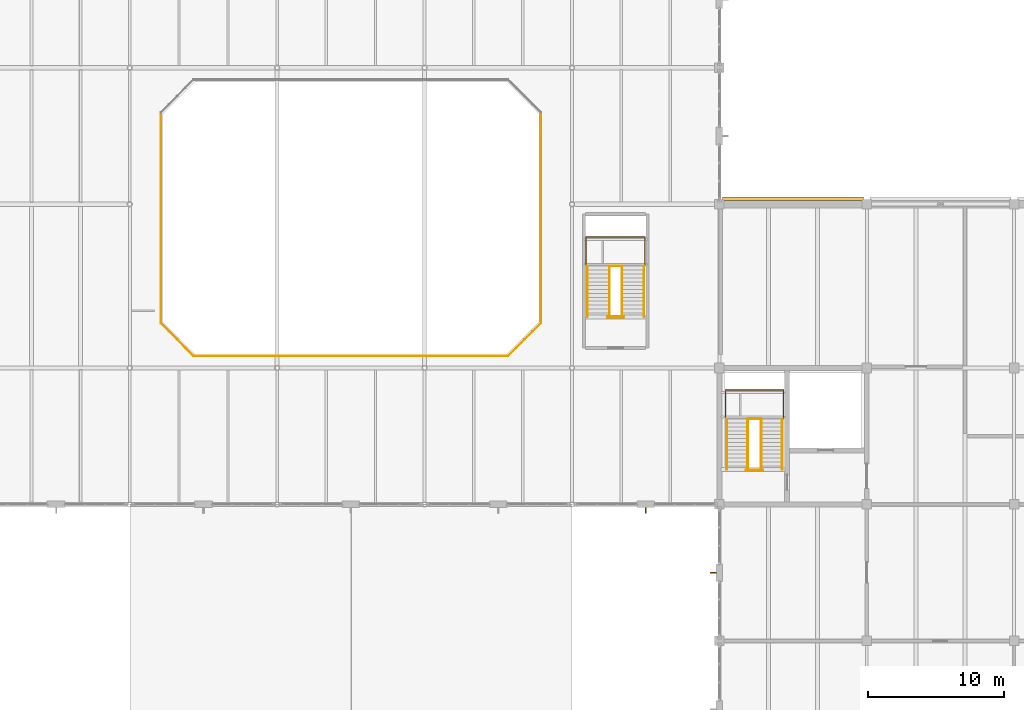
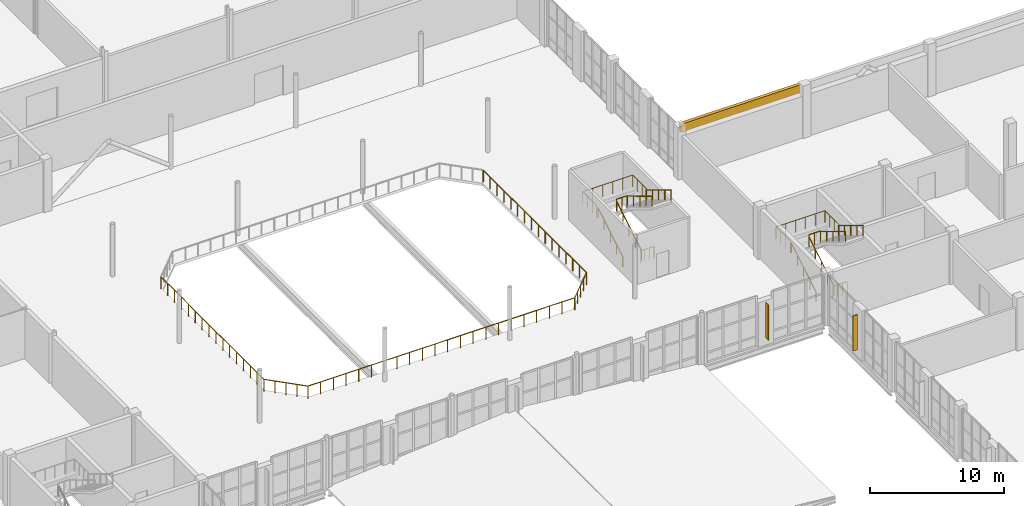
# One storey, part 86 of 92: 19 railings, 2 shading devices, 1 covering.
"""IFC4 building model written with IfcOpenShell, lengths in metres."""

from ifc_helpers import new_model, si_unit, direction, frame, origin, origin_2d, place, context, subcontext, project, spatial, rectangle, circle, extrude, material, layer, layer_set, type_object, element, save


model = new_model("IFC4")

# Units and contexts
model_context = context("Model", 3, precision=1e-05, world=origin(), true_north=direction((0.0, 1.0)))
body_context = subcontext(model_context, "Body", "Model", "MODEL_VIEW")
ifc_project = project(units=[si_unit("LENGTHUNIT", "METRE"), si_unit("AREAUNIT", "SQUARE_METRE"), si_unit("VOLUMEUNIT", "CUBIC_METRE"), si_unit("PLANEANGLEUNIT", "RADIAN"), si_unit("MASSUNIT", "GRAM", prefix="KILO")], contexts=[model_context])

# Site, building, storey
site_placement = place(None, origin())
site = spatial("IfcSite", under=ifc_project, at=site_placement, CompositionType="ELEMENT")
building_placement = place(site_placement, origin())
building = spatial("IfcBuilding", under=site, at=building_placement, Name="Tasgan Crest Museum", CompositionType="ELEMENT")
storey_placement = place(building_placement, frame((0.0, 0.0, 4.800048828125)))
storey = spatial("IfcBuildingStorey", under=building, at=storey_placement, Name="L01", CompositionType="ELEMENT", Elevation=4.800048828125)

# Covering
ifc_material_1 = material(Name="Honed Buff Limestone", Category="masonry")
ifc_layer = layer(ifc_material_1, 0.044921875, Name="COV-LIMESTONE-BUFF")
ifc_layer_set = layer_set([ifc_layer], Name="Honed Buff Limestone")
covering_type = type_object("IfcCoveringType", Name="COV-LIMESTONE-BUFF", PredefinedType="CLADDING", material=ifc_layer_set)
covering_placement = place(storey_placement, frame((113.39990234375, 62.39990234375, 3.780029296875), z_axis=(0.0, 0.0, 1.0), x_axis=(-1.0, 0.0, 0.0)))
element("IfcCovering", 1, at=covering_placement, inside=storey, type_object=covering_type, Name="Stone frieze cladding L01", PredefinedType="CLADDING", context=body_context, shape_type="SweptSolid", body=[
    extrude(rectangle(XDim=10.31005859375, YDim=0.280029296875, at=origin_2d()), origin(), (0.0, 0.0, 1.0), 0.72998046875),
])

# Railings
ifc_material_2 = material(Name="Brushed Bronze and Toughened Glass", Category="glass")
railing_type_1 = type_object("IfcRailingType", Name="RL-INT-GUARD-1120", PredefinedType="GUARDRAIL", material=ifc_material_2)
railing_1_placement = place(storey_placement, frame((109.93994140625, 42.52001953125, 0.0)))
element("IfcRailing", 2, at=railing_1_placement, inside=storey, type_object=railing_type_1, Name="East Conservation Core floor slot guard L01", PredefinedType="GUARDRAIL", context=body_context, shape_type="SweptSolid", body=[
    extrude(circle(Radius=0.02392578125, at=origin_2d()), frame((0.0, 0.0, 1.09619140625), z_axis=(1.0, 0.0, 0.0), x_axis=(0.0, 1.0, 0.0)), (0.0, 0.0, 1.0), 1.27001953125),
    extrude(circle(Radius=0.02099609375, at=origin_2d()), origin(), (0.0, 0.0, 1.0), 1.072021484375),
    extrude(circle(Radius=0.02099609375, at=origin_2d()), frame((0.42333984375, 0.0, 0.0)), (0.0, 0.0, 1.0), 1.072021484375),
    extrude(circle(Radius=0.02099609375, at=origin_2d()), frame((0.8466796875, 0.0, 0.0)), (0.0, 0.0, 1.0), 1.072021484375),
    extrude(circle(Radius=0.02099609375, at=origin_2d()), frame((1.27001953125, 0.0, 0.0)), (0.0, 0.0, 1.0), 1.072021484375),
])
railing_2_placement = place(storey_placement, frame((110.080078125, 46.27490234375, 2.39990234375)))
element("IfcRailing", 3, at=railing_2_placement, inside=storey, type_object=railing_type_1, Name="Stair half-landing well guard ST-SE-L01 T1", PredefinedType="GUARDRAIL", context=body_context, shape_type="SweptSolid", body=[
    extrude(circle(Radius=0.02392578125, at=origin_2d()), frame((0.0, 0.0, 1.09619140625), z_axis=(1.0, 0.0, 0.0), x_axis=(0.0, 1.0, 0.0)), (0.0, 0.0, 1.0), 0.989990234375),
    extrude(circle(Radius=0.02099609375, at=origin_2d()), origin(), (0.0, 0.0, 1.0), 1.072021484375),
    extrude(circle(Radius=0.02099609375, at=origin_2d()), frame((0.4951171875, 0.0, 0.0)), (0.0, 0.0, 1.0), 1.072021484375),
    extrude(circle(Radius=0.02099609375, at=origin_2d()), frame((0.989990234375, 0.0, 0.0)), (0.0, 0.0, 1.0), 1.072021484375),
])
railing_3_placement = place(storey_placement, frame((108.4599609375, 46.294921875, 2.39990234375)))
element("IfcRailing", 4, at=railing_3_placement, inside=storey, type_object=railing_type_1, Name="Stair half-landing perimeter guard ST-SE-L01 T1", PredefinedType="GUARDRAIL", context=body_context, shape_type="SweptSolid", body=[
    extrude(circle(Radius=0.02392578125, at=origin_2d()), frame((0.0, 0.0, 1.09619140625), z_axis=(0.0, 1.0, 0.0), x_axis=(-1.0, 0.0, 0.0)), (0.0, 0.0, 1.0), 2.10009765625),
    extrude(circle(Radius=0.02392578125, at=origin_2d()), frame((0.0, 2.10009765625, 1.09619140625), z_axis=(1.0, 0.0, 0.0), x_axis=(0.0, 1.0, 0.0)), (0.0, 0.0, 1.0), 4.22998046875),
    extrude(circle(Radius=0.02392578125, at=origin_2d()), frame((4.22998046875, 2.10009765625, 1.09619140625), z_axis=(0.0, -1.0, 0.0), x_axis=(1.0, 0.0, 0.0)), (0.0, 0.0, 1.0), 2.10009765625),
    extrude(circle(Radius=0.02099609375, at=origin_2d()), origin(), (0.0, 0.0, 1.0), 1.072021484375),
    extrude(circle(Radius=0.02099609375, at=origin_2d()), frame((0.0, 0.699951171875, 0.0)), (0.0, 0.0, 1.0), 1.072021484375),
    extrude(circle(Radius=0.02099609375, at=origin_2d()), frame((0.0, 1.400146484375, 0.0)), (0.0, 0.0, 1.0), 1.072021484375),
    extrude(circle(Radius=0.02099609375, at=origin_2d()), frame((0.0, 2.10009765625, 0.0)), (0.0, 0.0, 1.0), 1.072021484375),
    extrude(circle(Radius=0.02099609375, at=origin_2d()), frame((0.845947265625, 2.10009765625, 0.0)), (0.0, 0.0, 1.0), 1.072021484375),
    extrude(circle(Radius=0.02099609375, at=origin_2d()), frame((1.69189453125, 2.10009765625, 0.0)), (0.0, 0.0, 1.0), 1.072021484375),
    extrude(circle(Radius=0.02099609375, at=origin_2d()), frame((2.5380859375, 2.10009765625, 0.0)), (0.0, 0.0, 1.0), 1.072021484375),
    extrude(circle(Radius=0.02099609375, at=origin_2d()), frame((3.384033203125, 2.10009765625, 0.0)), (0.0, 0.0, 1.0), 1.072021484375),
    extrude(circle(Radius=0.02099609375, at=origin_2d()), frame((4.22998046875, 2.10009765625, 0.0)), (0.0, 0.0, 1.0), 1.072021484375),
    extrude(circle(Radius=0.02099609375, at=origin_2d()), frame((4.22998046875, 1.400146484375, 0.0)), (0.0, 0.0, 1.0), 1.072021484375),
    extrude(circle(Radius=0.02099609375, at=origin_2d()), frame((4.22998046875, 0.699951171875, 0.0)), (0.0, 0.0, 1.0), 1.072021484375),
    extrude(circle(Radius=0.02099609375, at=origin_2d()), frame((4.22998046875, 0.0, 0.0)), (0.0, 0.0, 1.0), 1.072021484375),
])
railing_4_placement = place(storey_placement, frame((99.800048828125, 53.719970703125, 0.0)))
element("IfcRailing", 5, at=railing_4_placement, inside=storey, type_object=railing_type_1, Name="ATRIUM floor slot guard L01", PredefinedType="GUARDRAIL", context=body_context, shape_type="SweptSolid", body=[
    extrude(circle(Radius=0.02392578125, at=origin_2d()), frame((0.0, 0.0, 1.09619140625), z_axis=(1.0, 0.0, 0.0), x_axis=(0.0, 1.0, 0.0)), (0.0, 0.0, 1.0), 1.199951171875),
    extrude(circle(Radius=0.02099609375, at=origin_2d()), origin(), (0.0, 0.0, 1.0), 1.072021484375),
    extrude(circle(Radius=0.02099609375, at=origin_2d()), frame((0.39990234375, 0.0, 0.0)), (0.0, 0.0, 1.0), 1.072021484375),
    extrude(circle(Radius=0.02099609375, at=origin_2d()), frame((0.800048828125, 0.0, 0.0)), (0.0, 0.0, 1.0), 1.072021484375),
    extrude(circle(Radius=0.02099609375, at=origin_2d()), frame((1.199951171875, 0.0, 0.0)), (0.0, 0.0, 1.0), 1.072021484375),
])
railing_5_placement = place(storey_placement, frame((99.93994140625, 57.47509765625, 2.39990234375)))
element("IfcRailing", 6, at=railing_5_placement, inside=storey, type_object=railing_type_1, Name="Stair half-landing well guard ST-AT-L01 T1", PredefinedType="GUARDRAIL", context=body_context, shape_type="SweptSolid", body=[
    extrude(circle(Radius=0.02392578125, at=origin_2d()), frame((0.0, 0.0, 1.09619140625), z_axis=(1.0, 0.0, 0.0), x_axis=(0.0, 1.0, 0.0)), (0.0, 0.0, 1.0), 0.920166015625),
    extrude(circle(Radius=0.02099609375, at=origin_2d()), origin(), (0.0, 0.0, 1.0), 1.072021484375),
    extrude(circle(Radius=0.02099609375, at=origin_2d()), frame((0.4599609375, 0.0, 0.0)), (0.0, 0.0, 1.0), 1.072021484375),
    extrude(circle(Radius=0.02099609375, at=origin_2d()), frame((0.920166015625, 0.0, 0.0)), (0.0, 0.0, 1.0), 1.072021484375),
])
railing_6_placement = place(storey_placement, frame((98.239990234375, 57.4951171875, 2.39990234375)))
element("IfcRailing", 7, at=railing_6_placement, inside=storey, type_object=railing_type_1, Name="Stair half-landing perimeter guard ST-AT-L01 T1", PredefinedType="GUARDRAIL", context=body_context, shape_type="SweptSolid", body=[
    extrude(circle(Radius=0.02392578125, at=origin_2d()), frame((0.0, 0.0, 1.09619140625), z_axis=(0.0, 1.0, 0.0), x_axis=(-1.0, 0.0, 0.0)), (0.0, 0.0, 1.0), 2.099853515625),
    extrude(circle(Radius=0.02392578125, at=origin_2d()), frame((0.0, 2.099853515625, 1.09619140625), z_axis=(1.0, 0.0, 0.0), x_axis=(0.0, 1.0, 0.0)), (0.0, 0.0, 1.0), 4.320068359375),
    extrude(circle(Radius=0.02392578125, at=origin_2d()), frame((4.320068359375, 2.099853515625, 1.09619140625), z_axis=(0.0, -1.0, 0.0), x_axis=(1.0, 0.0, 0.0)), (0.0, 0.0, 1.0), 2.099853515625),
    extrude(circle(Radius=0.02099609375, at=origin_2d()), origin(), (0.0, 0.0, 1.0), 1.072021484375),
    extrude(circle(Radius=0.02099609375, at=origin_2d()), frame((0.0, 0.699951171875, 0.0)), (0.0, 0.0, 1.0), 1.072021484375),
    extrude(circle(Radius=0.02099609375, at=origin_2d()), frame((0.0, 1.39990234375, 0.0)), (0.0, 0.0, 1.0), 1.072021484375),
    extrude(circle(Radius=0.02099609375, at=origin_2d()), frame((0.0, 2.099853515625, 0.0)), (0.0, 0.0, 1.0), 1.072021484375),
    extrude(circle(Radius=0.02099609375, at=origin_2d()), frame((0.864013671875, 2.099853515625, 0.0)), (0.0, 0.0, 1.0), 1.072021484375),
    extrude(circle(Radius=0.02099609375, at=origin_2d()), frame((1.72802734375, 2.099853515625, 0.0)), (0.0, 0.0, 1.0), 1.072021484375),
    extrude(circle(Radius=0.02099609375, at=origin_2d()), frame((2.592041015625, 2.099853515625, 0.0)), (0.0, 0.0, 1.0), 1.072021484375),
    extrude(circle(Radius=0.02099609375, at=origin_2d()), frame((3.4560546875, 2.099853515625, 0.0)), (0.0, 0.0, 1.0), 1.072021484375),
    extrude(circle(Radius=0.02099609375, at=origin_2d()), frame((4.320068359375, 2.099853515625, 0.0)), (0.0, 0.0, 1.0), 1.072021484375),
    extrude(circle(Radius=0.02099609375, at=origin_2d()), frame((4.320068359375, 1.39990234375, 0.0)), (0.0, 0.0, 1.0), 1.072021484375),
    extrude(circle(Radius=0.02099609375, at=origin_2d()), frame((4.320068359375, 0.699951171875, 0.0)), (0.0, 0.0, 1.0), 1.072021484375),
    extrude(circle(Radius=0.02099609375, at=origin_2d()), frame((4.320068359375, 0.0, 0.0)), (0.0, 0.0, 1.0), 1.072021484375),
])
railing_7_placement = place(storey_placement, frame((69.47998046875, 50.8798828125, 0.0)))
element("IfcRailing", 8, at=railing_7_placement, inside=storey, type_object=railing_type_1, Name="Atrium void guard L01 0", PredefinedType="GUARDRAIL", context=body_context, shape_type="SweptSolid", body=[
    extrude(circle(Radius=0.02392578125, at=origin_2d()), frame((0.0, 0.0, 1.09619140625), z_axis=(1.0, 0.0, 0.0), x_axis=(0.0, 1.0, 0.0)), (0.0, 0.0, 1.0), 23.0400390625),
    extrude(circle(Radius=0.02099609375, at=origin_2d()), origin(), (0.0, 0.0, 1.0), 1.072021484375),
    extrude(circle(Radius=0.02099609375, at=origin_2d()), frame((1.09716796875, 0.0, 0.0)), (0.0, 0.0, 1.0), 1.072021484375),
    extrude(circle(Radius=0.02099609375, at=origin_2d()), frame((2.1943359375, 0.0, 0.0)), (0.0, 0.0, 1.0), 1.072021484375),
    extrude(circle(Radius=0.02099609375, at=origin_2d()), frame((3.29150390625, 0.0, 0.0)), (0.0, 0.0, 1.0), 1.072021484375),
    extrude(circle(Radius=0.02099609375, at=origin_2d()), frame((4.388671875, 0.0, 0.0)), (0.0, 0.0, 1.0), 1.072021484375),
    extrude(circle(Radius=0.02099609375, at=origin_2d()), frame((5.48583984375, 0.0, 0.0)), (0.0, 0.0, 1.0), 1.072021484375),
    extrude(circle(Radius=0.02099609375, at=origin_2d()), frame((6.582763671875, 0.0, 0.0)), (0.0, 0.0, 1.0), 1.072021484375),
    extrude(circle(Radius=0.02099609375, at=origin_2d()), frame((7.679931640625, 0.0, 0.0)), (0.0, 0.0, 1.0), 1.072021484375),
    extrude(circle(Radius=0.02099609375, at=origin_2d()), frame((8.777099609375, 0.0, 0.0)), (0.0, 0.0, 1.0), 1.072021484375),
    extrude(circle(Radius=0.02099609375, at=origin_2d()), frame((9.874267578125, 0.0, 0.0)), (0.0, 0.0, 1.0), 1.072021484375),
    extrude(circle(Radius=0.02099609375, at=origin_2d()), frame((10.971435546875, 0.0, 0.0)), (0.0, 0.0, 1.0), 1.072021484375),
    extrude(circle(Radius=0.02099609375, at=origin_2d()), frame((12.068603515625, 0.0, 0.0)), (0.0, 0.0, 1.0), 1.072021484375),
    extrude(circle(Radius=0.02099609375, at=origin_2d()), frame((13.165771484375, 0.0, 0.0)), (0.0, 0.0, 1.0), 1.072021484375),
    extrude(circle(Radius=0.02099609375, at=origin_2d()), frame((14.262939453125, 0.0, 0.0)), (0.0, 0.0, 1.0), 1.072021484375),
    extrude(circle(Radius=0.02099609375, at=origin_2d()), frame((15.360107421875, 0.0, 0.0)), (0.0, 0.0, 1.0), 1.072021484375),
    extrude(circle(Radius=0.02099609375, at=origin_2d()), frame((16.457275390625, 0.0, 0.0)), (0.0, 0.0, 1.0), 1.072021484375),
    extrude(circle(Radius=0.02099609375, at=origin_2d()), frame((17.55419921875, 0.0, 0.0)), (0.0, 0.0, 1.0), 1.072021484375),
    extrude(circle(Radius=0.02099609375, at=origin_2d()), frame((18.6513671875, 0.0, 0.0)), (0.0, 0.0, 1.0), 1.072021484375),
    extrude(circle(Radius=0.02099609375, at=origin_2d()), frame((19.74853515625, 0.0, 0.0)), (0.0, 0.0, 1.0), 1.072021484375),
    extrude(circle(Radius=0.02099609375, at=origin_2d()), frame((20.845703125, 0.0, 0.0)), (0.0, 0.0, 1.0), 1.072021484375),
    extrude(circle(Radius=0.02099609375, at=origin_2d()), frame((21.94287109375, 0.0, 0.0)), (0.0, 0.0, 1.0), 1.072021484375),
    extrude(circle(Radius=0.02099609375, at=origin_2d()), frame((23.0400390625, 0.0, 0.0)), (0.0, 0.0, 1.0), 1.072021484375),
])
railing_8_placement = place(storey_placement, frame((92.52001953125, 50.8798828125, 0.0)))
element("IfcRailing", 9, at=railing_8_placement, inside=storey, type_object=railing_type_1, Name="Atrium void guard L01 1", PredefinedType="GUARDRAIL", context=body_context, shape_type="SweptSolid", body=[
    extrude(circle(Radius=0.02392578125, at=origin_2d()), frame((0.0, 0.0, 1.09619140625), z_axis=(0.707070815327, 0.707142745217, 0.0), x_axis=(-0.707142745217, 0.707070815327, 0.0)), (0.0, 0.0, 1.0), 3.39404296875),
    extrude(circle(Radius=0.02099609375, at=origin_2d()), origin(), (0.0, 0.0, 1.0), 1.072021484375),
    extrude(circle(Radius=0.02099609375, at=origin_2d()), frame((0.60009765625, 0.60009765625, 0.0)), (0.0, 0.0, 1.0), 1.072021484375),
    extrude(circle(Radius=0.02099609375, at=origin_2d()), frame((1.199951171875, 1.2001953125, 0.0)), (0.0, 0.0, 1.0), 1.072021484375),
    extrude(circle(Radius=0.02099609375, at=origin_2d()), frame((1.7998046875, 1.800048828125, 0.0)), (0.0, 0.0, 1.0), 1.072021484375),
    extrude(circle(Radius=0.02099609375, at=origin_2d()), frame((2.39990234375, 2.400146484375, 0.0)), (0.0, 0.0, 1.0), 1.072021484375),
])
railing_9_placement = place(storey_placement, frame((94.919921875, 53.280029296875, 0.0)))
element("IfcRailing", 10, at=railing_9_placement, inside=storey, type_object=railing_type_1, Name="Atrium void guard L01 2", PredefinedType="GUARDRAIL", context=body_context, shape_type="SweptSolid", body=[
    extrude(circle(Radius=0.02392578125, at=origin_2d()), frame((0.0, 0.0, 1.09619140625), z_axis=(0.0, 1.0, 0.0), x_axis=(-1.0, 0.0, 0.0)), (0.0, 0.0, 1.0), 15.43994140625),
    extrude(circle(Radius=0.02099609375, at=origin_2d()), origin(), (0.0, 0.0, 1.0), 1.072021484375),
    extrude(circle(Radius=0.02099609375, at=origin_2d()), frame((0.0, 1.029296875, 0.0)), (0.0, 0.0, 1.0), 1.072021484375),
    extrude(circle(Radius=0.02099609375, at=origin_2d()), frame((0.0, 2.05859375, 0.0)), (0.0, 0.0, 1.0), 1.072021484375),
    extrude(circle(Radius=0.02099609375, at=origin_2d()), frame((0.0, 3.087890625, 0.0)), (0.0, 0.0, 1.0), 1.072021484375),
    extrude(circle(Radius=0.02099609375, at=origin_2d()), frame((0.0, 4.117431640625, 0.0)), (0.0, 0.0, 1.0), 1.072021484375),
    extrude(circle(Radius=0.02099609375, at=origin_2d()), frame((0.0, 5.146728515625, 0.0)), (0.0, 0.0, 1.0), 1.072021484375),
    extrude(circle(Radius=0.02099609375, at=origin_2d()), frame((0.0, 6.176025390625, 0.0)), (0.0, 0.0, 1.0), 1.072021484375),
    extrude(circle(Radius=0.02099609375, at=origin_2d()), frame((0.0, 7.205322265625, 0.0)), (0.0, 0.0, 1.0), 1.072021484375),
    extrude(circle(Radius=0.02099609375, at=origin_2d()), frame((0.0, 8.234619140625, 0.0)), (0.0, 0.0, 1.0), 1.072021484375),
    extrude(circle(Radius=0.02099609375, at=origin_2d()), frame((0.0, 9.263916015625, 0.0)), (0.0, 0.0, 1.0), 1.072021484375),
    extrude(circle(Radius=0.02099609375, at=origin_2d()), frame((0.0, 10.293212890625, 0.0)), (0.0, 0.0, 1.0), 1.072021484375),
    extrude(circle(Radius=0.02099609375, at=origin_2d()), frame((0.0, 11.322509765625, 0.0)), (0.0, 0.0, 1.0), 1.072021484375),
    extrude(circle(Radius=0.02099609375, at=origin_2d()), frame((0.0, 12.35205078125, 0.0)), (0.0, 0.0, 1.0), 1.072021484375),
    extrude(circle(Radius=0.02099609375, at=origin_2d()), frame((0.0, 13.38134765625, 0.0)), (0.0, 0.0, 1.0), 1.072021484375),
    extrude(circle(Radius=0.02099609375, at=origin_2d()), frame((0.0, 14.41064453125, 0.0)), (0.0, 0.0, 1.0), 1.072021484375),
    extrude(circle(Radius=0.02099609375, at=origin_2d()), frame((0.0, 15.43994140625, 0.0)), (0.0, 0.0, 1.0), 1.072021484375),
])
railing_10_placement = place(storey_placement, frame((67.080078125, 68.719970703125, 0.0)))
element("IfcRailing", 11, at=railing_10_placement, inside=storey, type_object=railing_type_1, Name="Atrium void guard L01 6", PredefinedType="GUARDRAIL", context=body_context, shape_type="SweptSolid", body=[
    extrude(circle(Radius=0.02392578125, at=origin_2d()), frame((0.0, 0.0, 1.09619140625), z_axis=(0.0, -1.0, 0.0), x_axis=(1.0, 0.0, 0.0)), (0.0, 0.0, 1.0), 15.43994140625),
    extrude(circle(Radius=0.02099609375, at=origin_2d()), origin(), (0.0, 0.0, 1.0), 1.072021484375),
    extrude(circle(Radius=0.02099609375, at=origin_2d()), frame((0.0, -1.029296875, 0.0)), (0.0, 0.0, 1.0), 1.072021484375),
    extrude(circle(Radius=0.02099609375, at=origin_2d()), frame((0.0, -2.05859375, 0.0)), (0.0, 0.0, 1.0), 1.072021484375),
    extrude(circle(Radius=0.02099609375, at=origin_2d()), frame((0.0, -3.087890625, 0.0)), (0.0, 0.0, 1.0), 1.072021484375),
    extrude(circle(Radius=0.02099609375, at=origin_2d()), frame((0.0, -4.117431640625, 0.0)), (0.0, 0.0, 1.0), 1.072021484375),
    extrude(circle(Radius=0.02099609375, at=origin_2d()), frame((0.0, -5.146728515625, 0.0)), (0.0, 0.0, 1.0), 1.072021484375),
    extrude(circle(Radius=0.02099609375, at=origin_2d()), frame((0.0, -6.176025390625, 0.0)), (0.0, 0.0, 1.0), 1.072021484375),
    extrude(circle(Radius=0.02099609375, at=origin_2d()), frame((0.0, -7.205322265625, 0.0)), (0.0, 0.0, 1.0), 1.072021484375),
    extrude(circle(Radius=0.02099609375, at=origin_2d()), frame((0.0, -8.234619140625, 0.0)), (0.0, 0.0, 1.0), 1.072021484375),
    extrude(circle(Radius=0.02099609375, at=origin_2d()), frame((0.0, -9.263916015625, 0.0)), (0.0, 0.0, 1.0), 1.072021484375),
    extrude(circle(Radius=0.02099609375, at=origin_2d()), frame((0.0, -10.293212890625, 0.0)), (0.0, 0.0, 1.0), 1.072021484375),
    extrude(circle(Radius=0.02099609375, at=origin_2d()), frame((0.0, -11.322509765625, 0.0)), (0.0, 0.0, 1.0), 1.072021484375),
    extrude(circle(Radius=0.02099609375, at=origin_2d()), frame((0.0, -12.35205078125, 0.0)), (0.0, 0.0, 1.0), 1.072021484375),
    extrude(circle(Radius=0.02099609375, at=origin_2d()), frame((0.0, -13.38134765625, 0.0)), (0.0, 0.0, 1.0), 1.072021484375),
    extrude(circle(Radius=0.02099609375, at=origin_2d()), frame((0.0, -14.41064453125, 0.0)), (0.0, 0.0, 1.0), 1.072021484375),
    extrude(circle(Radius=0.02099609375, at=origin_2d()), frame((0.0, -15.43994140625, 0.0)), (0.0, 0.0, 1.0), 1.072021484375),
])
railing_11_placement = place(storey_placement, frame((67.080078125, 53.280029296875, 0.0)))
element("IfcRailing", 12, at=railing_11_placement, inside=storey, type_object=railing_type_1, Name="Atrium void guard L01 7", PredefinedType="GUARDRAIL", context=body_context, shape_type="SweptSolid", body=[
    extrude(circle(Radius=0.02392578125, at=origin_2d()), frame((0.0, 0.0, 1.09619140625), z_axis=(0.707070815327, -0.707142745217, 0.0), x_axis=(0.707142745217, 0.707070815327, 0.0)), (0.0, 0.0, 1.0), 3.39404296875),
    extrude(circle(Radius=0.02099609375, at=origin_2d()), origin(), (0.0, 0.0, 1.0), 1.072021484375),
    extrude(circle(Radius=0.02099609375, at=origin_2d()), frame((0.60009765625, -0.60009765625, 0.0)), (0.0, 0.0, 1.0), 1.072021484375),
    extrude(circle(Radius=0.02099609375, at=origin_2d()), frame((1.199951171875, -1.2001953125, 0.0)), (0.0, 0.0, 1.0), 1.072021484375),
    extrude(circle(Radius=0.02099609375, at=origin_2d()), frame((1.7998046875, -1.800048828125, 0.0)), (0.0, 0.0, 1.0), 1.072021484375),
    extrude(circle(Radius=0.02099609375, at=origin_2d()), frame((2.39990234375, -2.400146484375, 0.0)), (0.0, 0.0, 1.0), 1.072021484375),
])
ifc_material_3 = material(Name="Brushed Stainless Steel", Category="steel")
railing_type_2 = type_object("IfcRailingType", Name="RL-STAIR-HAND-920", PredefinedType="HANDRAIL", material=ifc_material_3)
for number, where, name in (
    (13, (108.5400390625, 42.550048828125, 0.17138671875), "Stair handrail STAIR-CORE-SE-L01-F1 L"),
    (14, (110.080078125, 42.550048828125, 0.17138671875), "Stair handrail STAIR-CORE-SE-L01-F1 R"),
):
    element("IfcRailing", number, at=place(storey_placement, frame(where)), inside=storey, type_object=railing_type_2, Name=name, PredefinedType="HANDRAIL", context=body_context, shape_type="SweptSolid", body=[
        extrude(circle(Radius=0.02392578125, at=origin_2d()), frame((0.0, 0.0, 0.89599609375), z_axis=(0.0, 0.856919398105, 0.515450429384), x_axis=(-1.0, 0.0, 0.0)), (0.0, 0.0, 1.0), 4.323486328125),
        extrude(circle(Radius=0.02099609375, at=origin_2d()), origin(), (0.0, 0.0, 1.0), 0.871826171875),
        extrude(circle(Radius=0.02099609375, at=origin_2d()), frame((0.0, 0.92626953125, 0.55712890625)), (0.0, 0.0, 1.0), 0.871826171875),
        extrude(circle(Radius=0.02099609375, at=origin_2d()), frame((0.0, 1.8525390625, 1.1142578125)), (0.0, 0.0, 1.0), 0.871826171875),
        extrude(circle(Radius=0.02099609375, at=origin_2d()), frame((0.0, 2.778564453125, 1.67138671875)), (0.0, 0.0, 1.0), 0.871826171875),
        extrude(circle(Radius=0.02099609375, at=origin_2d()), frame((0.0, 3.704833984375, 2.228515625)), (0.0, 0.0, 1.0), 0.871826171875),
    ])
for number, where, name in (
    (15, (112.610107421875, 46.2548828125, 2.5712890625), "Stair handrail STAIR-CORE-SE-L01-F2 L"),
    (16, (111.070068359375, 46.2548828125, 2.5712890625), "Stair handrail STAIR-CORE-SE-L01-F2 R"),
):
    element("IfcRailing", number, at=place(storey_placement, frame(where)), inside=storey, type_object=railing_type_2, Name=name, PredefinedType="HANDRAIL", context=body_context, shape_type="SweptSolid", body=[
        extrude(circle(Radius=0.02392578125, at=origin_2d()), frame((0.0, 0.0, 0.89599609375), z_axis=(0.0, -0.856894455432, 0.515491893485), x_axis=(1.0, 0.0, 0.0)), (0.0, 0.0, 1.0), 4.323486328125),
        extrude(circle(Radius=0.02099609375, at=origin_2d()), origin(), (0.0, 0.0, 1.0), 0.871826171875),
        extrude(circle(Radius=0.02099609375, at=origin_2d()), frame((0.0, -0.92626953125, 0.55712890625)), (0.0, 0.0, 1.0), 0.871826171875),
        extrude(circle(Radius=0.02099609375, at=origin_2d()), frame((0.0, -1.8525390625, 1.1142578125)), (0.0, 0.0, 1.0), 0.871826171875),
        extrude(circle(Radius=0.02099609375, at=origin_2d()), frame((0.0, -2.778564453125, 1.671630859375)), (0.0, 0.0, 1.0), 0.871826171875),
        extrude(circle(Radius=0.02099609375, at=origin_2d()), frame((0.0, -3.704833984375, 2.228759765625)), (0.0, 0.0, 1.0), 0.871826171875),
    ])
for number, where, name in (
    (17, (98.320068359375, 53.75, 0.17138671875), "Stair handrail STAIR-ATRIUM-L01-F1 L"),
    (18, (99.93994140625, 53.75, 0.17138671875), "Stair handrail STAIR-ATRIUM-L01-F1 R"),
):
    element("IfcRailing", number, at=place(storey_placement, frame(where)), inside=storey, type_object=railing_type_2, Name=name, PredefinedType="HANDRAIL", context=body_context, shape_type="SweptSolid", body=[
        extrude(circle(Radius=0.02392578125, at=origin_2d()), frame((0.0, 0.0, 0.89599609375), z_axis=(0.0, 0.856934400257, 0.515425487977), x_axis=(-1.0, 0.0, 0.0)), (0.0, 0.0, 1.0), 4.32373046875),
        extrude(circle(Radius=0.02099609375, at=origin_2d()), origin(), (0.0, 0.0, 1.0), 0.871826171875),
        extrude(circle(Radius=0.02099609375, at=origin_2d()), frame((0.0, 0.92626953125, 0.55712890625)), (0.0, 0.0, 1.0), 0.871826171875),
        extrude(circle(Radius=0.02099609375, at=origin_2d()), frame((0.0, 1.8525390625, 1.1142578125)), (0.0, 0.0, 1.0), 0.871826171875),
        extrude(circle(Radius=0.02099609375, at=origin_2d()), frame((0.0, 2.77880859375, 1.67138671875)), (0.0, 0.0, 1.0), 0.871826171875),
        extrude(circle(Radius=0.02099609375, at=origin_2d()), frame((0.0, 3.705078125, 2.228515625)), (0.0, 0.0, 1.0), 0.871826171875),
    ])
for number, where, name in (
    (19, (102.47998046875, 57.455078125, 2.5712890625), "Stair handrail STAIR-ATRIUM-L01-F2 L"),
    (20, (100.860107421875, 57.455078125, 2.5712890625), "Stair handrail STAIR-ATRIUM-L01-F2 R"),
):
    element("IfcRailing", number, at=place(storey_placement, frame(where)), inside=storey, type_object=railing_type_2, Name=name, PredefinedType="HANDRAIL", context=body_context, shape_type="SweptSolid", body=[
        extrude(circle(Radius=0.02392578125, at=origin_2d()), frame((0.0, 0.0, 0.89599609375), z_axis=(0.0, -0.856909459561, 0.515466951525), x_axis=(1.0, 0.0, 0.0)), (0.0, 0.0, 1.0), 4.32373046875),
        extrude(circle(Radius=0.02099609375, at=origin_2d()), origin(), (0.0, 0.0, 1.0), 0.871826171875),
        extrude(circle(Radius=0.02099609375, at=origin_2d()), frame((0.0, -0.92626953125, 0.55712890625)), (0.0, 0.0, 1.0), 0.871826171875),
        extrude(circle(Radius=0.02099609375, at=origin_2d()), frame((0.0, -1.8525390625, 1.1142578125)), (0.0, 0.0, 1.0), 0.871826171875),
        extrude(circle(Radius=0.02099609375, at=origin_2d()), frame((0.0, -2.77880859375, 1.671630859375)), (0.0, 0.0, 1.0), 0.871826171875),
        extrude(circle(Radius=0.02099609375, at=origin_2d()), frame((0.0, -3.705078125, 2.228759765625)), (0.0, 0.0, 1.0), 0.871826171875),
    ])

# Shading devices
ifc_material_4 = material(Name="Anodised Bronze Aluminium", Category="aluminium")
shading_device_type = type_object("IfcShadingDeviceType", Name="SH-FIN-V400", PredefinedType="JALOUSIE", material=ifc_material_4)
for number, where, z_axis, x_axis, name in (
    (21, (102.60009765625, 39.550048828125, 0.68017578125), (0.0, 0.0, 1.0), (1.0, 0.0, 0.0), "Facade pier solar fin L01"),
    (22, (107.550048828125, 35.0, 0.68017578125), (0.0, 0.0, 1.0), (0.0, -1.0, 0.0), "Facade pier solar fin L01"),
):
    element("IfcShadingDevice", number, at=place(storey_placement, frame(where, z_axis=z_axis, x_axis=x_axis)), inside=storey, type_object=shading_device_type, Name=name, PredefinedType="JALOUSIE", context=body_context, shape_type="SweptSolid", body=[
        extrude(rectangle(XDim=0.080078125, YDim=0.419921875, at=origin_2d()), origin(), (0.0, 0.0, 1.0), 3.199951171875),
    ])

save(model, "model.ifc")
